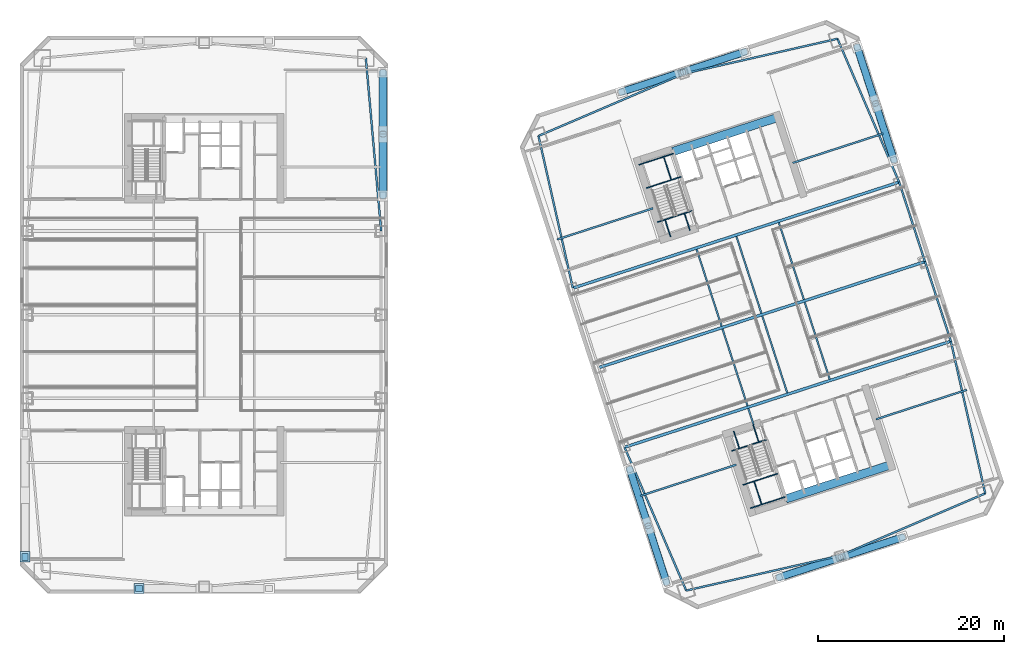
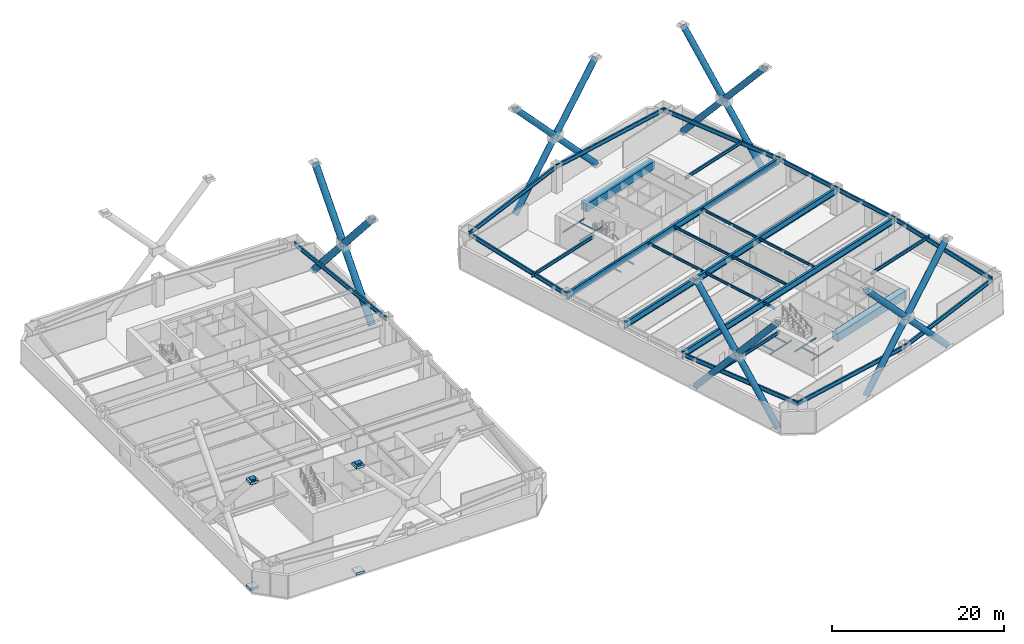
# One storey, part 2 of 18: 39 beams, 20 members, 6 plates.
"""IFC4 building model written with IfcOpenShell, lengths in metres."""

from ifc_helpers import new_model, si_unit, direction, frame, origin, origin_2d, place, context, subcontext, project, spatial, rectangle, hollow_circle, i_section, extrude, material, layer, layer_set, material_profile, profile_set, type_object, element, save


model = new_model("IFC4")

# Units and contexts
model_context = context("Model", 3, precision=1e-05, world=origin(), true_north=direction((0.0, 1.0)))
body_context = subcontext(model_context, "Body", "Model", "MODEL_VIEW")
ifc_project = project(units=[si_unit("LENGTHUNIT", "METRE"), si_unit("AREAUNIT", "SQUARE_METRE"), si_unit("VOLUMEUNIT", "CUBIC_METRE"), si_unit("PLANEANGLEUNIT", "RADIAN"), si_unit("MASSUNIT", "GRAM", prefix="KILO")], contexts=[model_context])

# Site, building, storey
site_placement = place(None, origin())
site = spatial("IfcSite", under=ifc_project, at=site_placement, CompositionType="ELEMENT")
building_placement = place(site_placement, origin())
building = spatial("IfcBuilding", under=site, at=building_placement, Name="Qiaolan Cultural Towers", CompositionType="ELEMENT")
storey_placement = place(building_placement, frame((0.0, 0.0, 42.0)))
storey = spatial("IfcBuildingStorey", under=building, at=storey_placement, Name="L09", CompositionType="ELEMENT", Elevation=42.0)

# Beams
ifc_material_1 = material(Name="Steel Q355B", Category="steel")
ifc_material_profile_1 = material_profile(ifc_material_1, i_section(OverallWidth=0.300048828125, OverallDepth=0.89990234375, WebThickness=0.01611328125, FlangeThickness=0.028076171875, at=origin_2d()), Name="HN900x300x16x28")
ifc_profile_set_1 = profile_set([ifc_material_profile_1], Name="Steel Q355B")
beam_type_1 = type_object("IfcBeamType", Name="BM-HN900x300x16x28", PredefinedType="BEAM", material=ifc_profile_set_1)
beam_1_placement = place(storey_placement, frame((75.234130859375, 19.739013671875, 3.27001953125), z_axis=(0.951055702987, 0.309019497469, 0.0), x_axis=(-0.309019497469, 0.951055702987, 0.0)))
element("IfcBeam", 1, at=beam_1_placement, inside=storey, type_object=beam_type_1, Name="L09 T2 Primary Transverse Girder V1", PredefinedType="BEAM", context=body_context, shape_type="SweptSolid", body=[
    extrude(i_section(OverallWidth=0.300048828125, OverallDepth=0.89990234375, WebThickness=0.01611328125, FlangeThickness=0.028076171875, at=origin_2d()), origin(), (0.0, 0.0, 1.0), 36.900146484375),
])
beam_2_placement = place(storey_placement, frame((72.453125, 28.298583984375, 3.27001953125), z_axis=(0.951055071173, 0.309021441968, 0.0), x_axis=(-0.309021441968, 0.951055071173, 0.0)))
element("IfcBeam", 2, at=beam_2_placement, inside=storey, type_object=beam_type_1, Name="L09 T2 Primary Transverse Girder V2", PredefinedType="BEAM", context=body_context, shape_type="SweptSolid", body=[
    extrude(i_section(OverallWidth=0.300048828125, OverallDepth=0.89990234375, WebThickness=0.01611328125, FlangeThickness=0.028076171875, at=origin_2d()), origin(), (0.0, 0.0, 1.0), 36.89990234375),
])
beam_3_placement = place(storey_placement, frame((69.671875, 36.858154296875, 3.27001953125), z_axis=(0.951055702987, 0.309019497469, 0.0), x_axis=(-0.309019497469, 0.951055702987, 0.0)))
element("IfcBeam", 3, at=beam_3_placement, inside=storey, type_object=beam_type_1, Name="L09 T2 Primary Transverse Girder V3", PredefinedType="BEAM", context=body_context, shape_type="SweptSolid", body=[
    extrude(i_section(OverallWidth=0.300048828125, OverallDepth=0.89990234375, WebThickness=0.01611328125, FlangeThickness=0.028076171875, at=origin_2d()), origin(), (0.0, 0.0, 1.0), 36.900146484375),
])
ifc_material_2 = material(Name="Steel Q355B", Category="steel")
ifc_material_profile_2 = material_profile(ifc_material_2, i_section(OverallWidth=0.175048828125, OverallDepth=0.35009765625, WebThickness=0.007080078125, FlangeThickness=0.010986328125, at=origin_2d()), Name="HN350x175x7x11")
ifc_profile_set_2 = profile_set([ifc_material_profile_2], Name="Steel Q355B")
beam_type_2 = type_object("IfcBeamType", Name="BM-JST-HN350x175x7x11", PredefinedType="JOIST", material=ifc_profile_set_2)
beam_4_placement = place(storey_placement, frame((89.119384765625, 22.147705078125, 3.544921875), z_axis=(-0.308933885266, 0.951083516067, 0.0), x_axis=(-0.951083516067, -0.308933885266, 0.0)))
element("IfcBeam", 4, at=beam_4_placement, inside=storey, type_object=beam_type_2, Name="L09 T2 Secondary Floor Joist U1-1", PredefinedType="JOIST", context=body_context, shape_type="SweptSolid", body=[
    extrude(i_section(OverallWidth=0.175048828125, OverallDepth=0.35009765625, WebThickness=0.007080078125, FlangeThickness=0.010986328125, at=origin_2d()), origin(), (0.0, 0.0, 1.0), 1.85009765625),
])
for number, where, z_axis, x_axis, name in (
    (5, (88.455078125, 24.192626953125, 3.544921875), (-0.309020714809, 0.951055307445, 0.0), (-0.951055307445, -0.309020714809, 0.0), "L09 T2 Secondary Floor Joist U1-2"),
    (6, (85.673828125, 32.752197265625, 3.544921875), (-0.309020714809, 0.951055307445, 0.0), (-0.951055307445, -0.309020714809, 0.0), "L09 T2 Secondary Floor Joist U1-3"),
    (7, (92.73486328125, 25.583251953125, 3.544921875), (-0.309020714809, 0.951055307445, 0.0), (-0.951055307445, -0.309020714809, 0.0), "L09 T2 Secondary Floor Joist U2-2"),
    (8, (89.95361328125, 34.142578125, 3.544921875), (-0.309020714809, 0.951055307445, 0.0), (-0.951055307445, -0.309020714809, 0.0), "L09 T2 Secondary Floor Joist U2-3"),
    (9, (97.2998046875, 27.06640625, 3.544921875), (-0.309020714809, 0.951055307445, 0.0), (-0.951055307445, -0.309020714809, 0.0), "L09 T2 Secondary Floor Joist U3-2"),
    (10, (94.518798828125, 35.6259765625, 3.544921875), (-0.309020714809, 0.951055307445, 0.0), (-0.951055307445, -0.309020714809, 0.0), "L09 T2 Secondary Floor Joist U3-3"),
):
    element("IfcBeam", number, at=place(storey_placement, frame(where, z_axis=z_axis, x_axis=x_axis)), inside=storey, type_object=beam_type_2, Name=name, PredefinedType="JOIST", context=body_context, shape_type="SweptSolid", body=[
        extrude(i_section(OverallWidth=0.175048828125, OverallDepth=0.35009765625, WebThickness=0.007080078125, FlangeThickness=0.010986328125, at=origin_2d()), origin(), (0.0, 0.0, 1.0), 8.699951171875),
    ])
ifc_material_3 = material(Name="Steel Q355B", Category="steel")
ifc_material_profile_3 = material_profile(ifc_material_3, i_section(OverallWidth=0.199951171875, OverallDepth=0.449951171875, WebThickness=0.009033203125, FlangeThickness=0.013916015625, at=origin_2d()), Name="HN450x200x9x14")
ifc_profile_set_3 = profile_set([ifc_material_profile_3], Name="Steel Q355B")
beam_type_3 = type_object("IfcBeamType", Name="BM-LNT-HN450x200x9x14", PredefinedType="LINTEL", material=ifc_profile_set_3)
beam_5_placement = place(storey_placement, frame((87.252685546875, 17.861083984375, 3.4951171875), z_axis=(-0.95105688584, -0.30901585703, 0.0), x_axis=(0.30901585703, -0.95105688584, 0.0)))
element("IfcBeam", 11, at=beam_5_placement, inside=storey, type_object=beam_type_3, Name="L09 T2 Core Flank Tie Lintel WS", PredefinedType="LINTEL", context=body_context, shape_type="SweptSolid", body=[
    extrude(i_section(OverallWidth=0.199951171875, OverallDepth=0.449951171875, WebThickness=0.009033203125, FlangeThickness=0.013916015625, at=origin_2d()), origin(), (0.0, 0.0, 1.0), 10.849853515625),
])
beam_6_placement = place(storey_placement, frame((78.291259765625, 45.44189453125, 3.4951171875), z_axis=(-0.951052421511, -0.309029596542, 0.0), x_axis=(0.309029596542, -0.951052421511, 0.0)))
element("IfcBeam", 12, at=beam_6_placement, inside=storey, type_object=beam_type_3, Name="L09 T2 Core Flank Tie Lintel WN", PredefinedType="LINTEL", context=body_context, shape_type="SweptSolid", body=[
    extrude(i_section(OverallWidth=0.199951171875, OverallDepth=0.449951171875, WebThickness=0.009033203125, FlangeThickness=0.013916015625, at=origin_2d()), origin(), (0.0, 0.0, 1.0), 10.85009765625),
])
beam_7_placement = place(storey_placement, frame((102.279296875, 22.74365234375, 3.4951171875), z_axis=(0.951056820587, 0.309016057859, 0.0), x_axis=(-0.309016057859, 0.951056820587, 0.0)))
element("IfcBeam", 13, at=beam_7_placement, inside=storey, type_object=beam_type_3, Name="L09 T2 Core Flank Tie Lintel ES", PredefinedType="LINTEL", context=body_context, shape_type="SweptSolid", body=[
    extrude(i_section(OverallWidth=0.199951171875, OverallDepth=0.449951171875, WebThickness=0.009033203125, FlangeThickness=0.013916015625, at=origin_2d()), origin(), (0.0, 0.0, 1.0), 10.250244140625),
])
beam_8_placement = place(storey_placement, frame((93.31787109375, 50.32421875, 3.4951171875), z_axis=(0.951054546097, 0.309023057955, 0.0), x_axis=(-0.309023057955, 0.951054546097, 0.0)))
element("IfcBeam", 14, at=beam_8_placement, inside=storey, type_object=beam_type_3, Name="L09 T2 Core Flank Tie Lintel EN", PredefinedType="LINTEL", context=body_context, shape_type="SweptSolid", body=[
    extrude(i_section(OverallWidth=0.199951171875, OverallDepth=0.449951171875, WebThickness=0.009033203125, FlangeThickness=0.013916015625, at=origin_2d()), origin(), (0.0, 0.0, 1.0), 10.25),
])
ifc_material_4 = material(Name="Concrete C50", Category="concrete")
ifc_material_profile_4 = material_profile(ifc_material_4, rectangle(XDim=0.89990234375, YDim=1.10009765625, at=origin_2d()), Name="RC900x1100")
ifc_profile_set_4 = profile_set([ifc_material_profile_4], Name="Concrete C50")
beam_type_4 = type_object("IfcBeamType", Name="BM-RC900x1100", PredefinedType="BEAM", material=ifc_profile_set_4)
for number, where, z_axis, x_axis, name in (
    (15, (92.572265625, 14.174560546875, 3.169921875), (0.951056266386, 0.309017763514, 0.0), (-0.309017763514, 0.951056266386, 0.0), "L09 T2 Core Header Girder S"),
    (16, (80.427978515625, 51.551025390625, 3.169921875), (0.951056266386, 0.309017763514, 0.0), (-0.309017763514, 0.951056266386, 0.0), "L09 T2 Core Header Girder N"),
):
    element("IfcBeam", number, at=place(storey_placement, frame(where, z_axis=z_axis, x_axis=x_axis)), inside=storey, type_object=beam_type_4, Name=name, PredefinedType="BEAM", context=body_context, shape_type="SweptSolid", body=[
        extrude(rectangle(XDim=0.89990234375, YDim=1.10009765625, at=origin_2d()), origin(), (0.0, 0.0, 1.0), 11.880126953125),
    ])
ifc_material_5 = material(Name="Steel Q355B", Category="steel")
ifc_material_profile_5 = material_profile(ifc_material_5, i_section(OverallWidth=0.199951171875, OverallDepth=0.60009765625, WebThickness=0.010986328125, FlangeThickness=0.01708984375, at=origin_2d()), Name="HN600x200x11x17")
ifc_profile_set_5 = profile_set([ifc_material_profile_5], Name="Steel Q355B")
beam_type_5 = type_object("IfcBeamType", Name="BM-SPD-HN600x200x11x17", PredefinedType="SPANDREL", material=ifc_profile_set_5)
beam_9_placement = place(storey_placement, frame((49.050048828125, 43.0, 3.419921875), z_axis=(-0.08837000091, 0.996087718496, 0.0), x_axis=(-0.996087718496, -0.08837000091, 0.0)))
element("IfcBeam", 17, at=beam_9_placement, inside=storey, type_object=beam_type_5, Name="L09 T1 Perimeter Spandrel Beam 6", PredefinedType="SPANDREL", context=body_context, shape_type="SweptSolid", body=[
    extrude(i_section(OverallWidth=0.199951171875, OverallDepth=0.60009765625, WebThickness=0.010986328125, FlangeThickness=0.01708984375, at=origin_2d()), origin(), (0.0, 0.0, 1.0), 18.673095703125),
])
for number, where, z_axis, x_axis, name in (
    (18, (81.862548828125, 4.32275390625, 3.419921875), (0.975161095889, 0.221496810506, 0.0), (-0.221496810506, 0.975161095889, 0.0), "L09 T2 Perimeter Spandrel Beam 1"),
    (19, (98.420654296875, 8.083740234375, 3.419921875), (0.919108584923, 0.394004326272, 0.0), (-0.394004326272, 0.919108584923, 0.0), "L09 T2 Perimeter Spandrel Beam 2"),
):
    element("IfcBeam", number, at=place(storey_placement, frame(where, z_axis=z_axis, x_axis=x_axis)), inside=storey, type_object=beam_type_5, Name=name, PredefinedType="SPANDREL", context=body_context, shape_type="SweptSolid", body=[
        extrude(i_section(OverallWidth=0.199951171875, OverallDepth=0.60009765625, WebThickness=0.010986328125, FlangeThickness=0.01708984375, at=origin_2d()), origin(), (0.0, 0.0, 1.0), 16.97998046875),
    ])
beam_10_placement = place(storey_placement, frame((114.027099609375, 14.77392578125, 3.419921875), z_axis=(-0.220430557386, 0.975402670373, 0.0), x_axis=(-0.975402670373, -0.220430557386, 0.0)))
element("IfcBeam", 20, at=beam_10_placement, inside=storey, type_object=beam_type_5, Name="L09 T2 Perimeter Spandrel Beam 3", PredefinedType="SPANDREL", context=body_context, shape_type="SweptSolid", body=[
    extrude(i_section(OverallWidth=0.199951171875, OverallDepth=0.60009765625, WebThickness=0.010986328125, FlangeThickness=0.01708984375, at=origin_2d()), origin(), (0.0, 0.0, 1.0), 16.78076171875),
])
for number, where, z_axis, x_axis, name in (
    (21, (110.328125, 31.141845703125, 3.419921875), (-0.309024734286, 0.951054001411, 0.0), (-0.951054001411, -0.309024734286, 0.0), "L09 T2 Perimeter Spandrel Beam 4"),
    (22, (107.546875, 39.701416015625, 3.419921875), (-0.309000197986, 0.951061973609, 0.0), (-0.951061973609, -0.309000197986, 0.0), "L09 T2 Perimeter Spandrel Beam 5"),
):
    element("IfcBeam", number, at=place(storey_placement, frame(where, z_axis=z_axis, x_axis=x_axis)), inside=storey, type_object=beam_type_5, Name=name, PredefinedType="SPANDREL", context=body_context, shape_type="SweptSolid", body=[
        extrude(i_section(OverallWidth=0.199951171875, OverallDepth=0.60009765625, WebThickness=0.010986328125, FlangeThickness=0.01708984375, at=origin_2d()), origin(), (0.0, 0.0, 1.0), 9.0),
    ])
beam_11_placement = place(storey_placement, frame((104.765869140625, 48.260986328125, 3.419921875), z_axis=(-0.394998896054, 0.918681594524, 0.0), x_axis=(-0.918681594524, -0.394998896054, 0.0)))
element("IfcBeam", 23, at=beam_11_placement, inside=storey, type_object=beam_type_5, Name="L09 T2 Perimeter Spandrel Beam 6", PredefinedType="SPANDREL", context=body_context, shape_type="SweptSolid", body=[
    extrude(i_section(OverallWidth=0.199951171875, OverallDepth=0.60009765625, WebThickness=0.010986328125, FlangeThickness=0.01708984375, at=origin_2d()), origin(), (0.0, 0.0, 1.0), 16.78076171875),
])
for number, where, z_axis, x_axis, name in (
    (24, (98.137451171875, 63.67724609375, 3.419921875), (-0.975161095889, -0.221496810506, 0.0), (0.221496810506, -0.975161095889, 0.0), "L09 T2 Perimeter Spandrel Beam 7"),
    (25, (81.579345703125, 59.916259765625, 3.419921875), (-0.919108584923, -0.394004326272, 0.0), (0.394004326272, -0.919108584923, 0.0), "L09 T2 Perimeter Spandrel Beam 8"),
):
    element("IfcBeam", number, at=place(storey_placement, frame(where, z_axis=z_axis, x_axis=x_axis)), inside=storey, type_object=beam_type_5, Name=name, PredefinedType="SPANDREL", context=body_context, shape_type="SweptSolid", body=[
        extrude(i_section(OverallWidth=0.199951171875, OverallDepth=0.60009765625, WebThickness=0.010986328125, FlangeThickness=0.01708984375, at=origin_2d()), origin(), (0.0, 0.0, 1.0), 16.97998046875),
    ])
for number, where, z_axis, x_axis, name in (
    (26, (65.972900390625, 53.22607421875, 3.419921875), (0.220430557386, -0.975402670373, 0.0), (0.975402670373, 0.220430557386, 0.0), "L09 T2 Perimeter Spandrel Beam 9"),
    (27, (75.234130859375, 19.739013671875, 3.419921875), (0.394998896054, -0.918681594524, 0.0), (0.918681594524, 0.394998896054, 0.0), "L09 T2 Perimeter Spandrel Beam 12"),
):
    element("IfcBeam", number, at=place(storey_placement, frame(where, z_axis=z_axis, x_axis=x_axis)), inside=storey, type_object=beam_type_5, Name=name, PredefinedType="SPANDREL", context=body_context, shape_type="SweptSolid", body=[
        extrude(i_section(OverallWidth=0.199951171875, OverallDepth=0.60009765625, WebThickness=0.010986328125, FlangeThickness=0.01708984375, at=origin_2d()), origin(), (0.0, 0.0, 1.0), 16.78076171875),
    ])
ifc_material_6 = material(Name="Steel Q355B", Category="steel")
ifc_material_profile_6 = material_profile(ifc_material_6, i_section(OverallWidth=0.10009765625, OverallDepth=0.199951171875, WebThickness=0.005615234375, FlangeThickness=0.008056640625, at=origin_2d()), Name="HN200x100x5.5x8")
ifc_profile_set_6 = profile_set([ifc_material_profile_6], Name="Steel Q355B")
beam_type_6 = type_object("IfcBeamType", Name="BM-STTRIM-200", PredefinedType="BEAM", material=ifc_profile_set_6)
beam_12_placement = place(storey_placement, frame((86.770751953125, 19.3447265625, -0.4599609375), z_axis=(0.951047798727, 0.309043823005, 0.0), x_axis=(-0.309043823005, 0.951047798727, 0.0)))
element("IfcBeam", 28, at=beam_12_placement, inside=storey, type_object=beam_type_6, Name="L09 ST-E1 Floor Landing Header Beam", PredefinedType="BEAM", context=body_context, shape_type="SweptSolid", body=[
    extrude(i_section(OverallWidth=0.10009765625, OverallDepth=0.199951171875, WebThickness=0.005615234375, FlangeThickness=0.008056640625, at=origin_2d()), origin(), (0.0, 0.0, 1.0), 3.919921875),
])
for number, where, z_axis, x_axis, name in (
    (29, (86.9794921875, 21.452392578125, -0.4599609375), (0.309083226701, -0.951034993558, 0.0), (0.951034993558, 0.309083226701, 0.0), "L09 ST-E1 Floor Landing Stringer 1"),
    (30, (89.07177734375, 22.13232421875, -0.4599609375), (0.309083226701, -0.951034993558, 0.0), (0.951034993558, 0.309083226701, 0.0), "L09 ST-E1 Floor Landing Stringer 2"),
):
    element("IfcBeam", number, at=place(storey_placement, frame(where, z_axis=z_axis, x_axis=x_axis)), inside=storey, type_object=beam_type_6, Name=name, PredefinedType="BEAM", context=body_context, shape_type="SweptSolid", body=[
        extrude(i_section(OverallWidth=0.10009765625, OverallDepth=0.199951171875, WebThickness=0.005615234375, FlangeThickness=0.008056640625, at=origin_2d()), origin(), (0.0, 0.0, 1.0), 1.93994140625),
    ])
for number, where, z_axis, x_axis, name in (
    (31, (87.9599609375, 15.6845703125, 1.699951171875), (0.951066103084, 0.308987487715, 0.0), (-0.308987487715, 0.951066103084, 0.0), "L09 ST-E1 Stair Landing Support Beam 1-1"),
    (32, (88.773193359375, 13.181884765625, 1.699951171875), (0.951047798727, 0.309043823005, 0.0), (-0.309043823005, 0.951047798727, 0.0), "L09 ST-E1 Stair Landing Support Beam 1-2"),
):
    element("IfcBeam", number, at=place(storey_placement, frame(where, z_axis=z_axis, x_axis=x_axis)), inside=storey, type_object=beam_type_6, Name=name, PredefinedType="BEAM", context=body_context, shape_type="SweptSolid", body=[
        extrude(i_section(OverallWidth=0.10009765625, OverallDepth=0.199951171875, WebThickness=0.005615234375, FlangeThickness=0.008056640625, at=origin_2d()), origin(), (0.0, 0.0, 1.0), 3.919921875),
    ])
beam_13_placement = place(storey_placement, frame((89.167724609375, 16.076904296875, 1.699951171875), z_axis=(0.309065092166, -0.951040887031, 0.0), x_axis=(0.951040887031, 0.309065092166, 0.0)))
element("IfcBeam", 33, at=beam_13_placement, inside=storey, type_object=beam_type_6, Name="L09 ST-E1 Stair Landing Trimmer 1", PredefinedType="BEAM", context=body_context, shape_type="SweptSolid", body=[
    extrude(i_section(OverallWidth=0.10009765625, OverallDepth=0.199951171875, WebThickness=0.005615234375, FlangeThickness=0.008056640625, at=origin_2d()), origin(), (0.0, 0.0, 1.0), 2.63134765625),
])
beam_14_placement = place(storey_placement, frame((78.773193359375, 43.958251953125, -0.4599609375), z_axis=(0.951072048947, 0.3089691857, 0.0), x_axis=(-0.3089691857, 0.951072048947, 0.0)))
element("IfcBeam", 34, at=beam_14_placement, inside=storey, type_object=beam_type_6, Name="L09 ST-E2 Floor Landing Header Beam", PredefinedType="BEAM", context=body_context, shape_type="SweptSolid", body=[
    extrude(i_section(OverallWidth=0.10009765625, OverallDepth=0.199951171875, WebThickness=0.005615234375, FlangeThickness=0.008056640625, at=origin_2d()), origin(), (0.0, 0.0, 1.0), 3.920166015625),
])
for number, where, z_axis, x_axis, name in (
    (35, (80.18115234375, 42.375732421875, -0.4599609375), (-0.308969394428, 0.951071981138, 0.0), (-0.951071981138, -0.308969394428, 0.0), "L09 ST-E2 Floor Landing Stringer 1"),
    (36, (82.2734375, 43.0556640625, -0.4599609375), (-0.308969394428, 0.951071981138, 0.0), (-0.951071981138, -0.308969394428, 0.0), "L09 ST-E2 Floor Landing Stringer 2"),
):
    element("IfcBeam", number, at=place(storey_placement, frame(where, z_axis=z_axis, x_axis=x_axis)), inside=storey, type_object=beam_type_6, Name=name, PredefinedType="BEAM", context=body_context, shape_type="SweptSolid", body=[
        extrude(i_section(OverallWidth=0.10009765625, OverallDepth=0.199951171875, WebThickness=0.005615234375, FlangeThickness=0.008056640625, at=origin_2d()), origin(), (0.0, 0.0, 1.0), 1.93994140625),
    ])
beam_15_placement = place(storey_placement, frame((77.583984375, 47.618408203125, 1.699951171875), z_axis=(0.951047798727, 0.309043823005, 0.0), x_axis=(-0.309043823005, 0.951047798727, 0.0)))
element("IfcBeam", 37, at=beam_15_placement, inside=storey, type_object=beam_type_6, Name="L09 ST-E2 Stair Landing Support Beam 1-1", PredefinedType="BEAM", context=body_context, shape_type="SweptSolid", body=[
    extrude(i_section(OverallWidth=0.10009765625, OverallDepth=0.199951171875, WebThickness=0.005615234375, FlangeThickness=0.008056640625, at=origin_2d()), origin(), (0.0, 0.0, 1.0), 3.919921875),
])
beam_16_placement = place(storey_placement, frame((76.770751953125, 50.12109375, 1.699951171875), z_axis=(0.951072048947, 0.3089691857, 0.0), x_axis=(-0.3089691857, 0.951072048947, 0.0)))
element("IfcBeam", 38, at=beam_16_placement, inside=storey, type_object=beam_type_6, Name="L09 ST-E2 Stair Landing Support Beam 1-2", PredefinedType="BEAM", context=body_context, shape_type="SweptSolid", body=[
    extrude(i_section(OverallWidth=0.10009765625, OverallDepth=0.199951171875, WebThickness=0.005615234375, FlangeThickness=0.008056640625, at=origin_2d()), origin(), (0.0, 0.0, 1.0), 3.920166015625),
])
beam_17_placement = place(storey_placement, frame((80.25634765625, 48.48681640625, 1.699951171875), z_axis=(-0.308981166967, 0.95106815658, 0.0), x_axis=(-0.95106815658, -0.308981166967, 0.0)))
element("IfcBeam", 39, at=beam_17_placement, inside=storey, type_object=beam_type_6, Name="L09 ST-E2 Stair Landing Trimmer 1", PredefinedType="BEAM", context=body_context, shape_type="SweptSolid", body=[
    extrude(i_section(OverallWidth=0.10009765625, OverallDepth=0.199951171875, WebThickness=0.005615234375, FlangeThickness=0.008056640625, at=origin_2d()), origin(), (0.0, 0.0, 1.0), 2.631103515625),
])

# Members
ifc_material_7 = material(Name="Steel Q390GJB", Category="steel")
ifc_material_profile_7 = material_profile(ifc_material_7, hollow_circle(Radius=0.39990234375, WallThickness=0.0400390625, at=origin_2d()), Name="CHS800x40")
ifc_profile_set_7 = profile_set([ifc_material_profile_7], Name="Steel Q390GJB")
member_type_1 = type_object("IfcMemberType", Name="MBR-BRC-CHS800x40", PredefinedType="BRACE", material=ifc_profile_set_7)
for number, where, z_axis, x_axis, name in (
    (40, (79.75634765625, 5.173828125, 0.14990234375), (-0.200647202171, 0.617535437278, 0.760520008919), (-0.951057523153, -0.309013895568, 0.0), "T2 WEST Perimeter Frame Diagonal E-Z1-M2-D1A"),
    (41, (77.77099609375, 11.2841796875, 7.675048828125), (-0.20064790993, 0.61756228943, 0.760498017692), (-0.951061151536, -0.309002728207, 0.0), "T2 WEST Perimeter Frame Diagonal E-Z1-M2-D1B"),
    (42, (75.78564453125, 17.394775390625, 0.14990234375), (0.200644144932, -0.617550701365, 0.760508420958), (0.951061151536, 0.309002728207, 0.0), "T2 WEST Perimeter Frame Diagonal E-Z1-M2-D2A"),
):
    element("IfcMember", number, at=place(storey_placement, frame(where, z_axis=z_axis, x_axis=x_axis)), inside=storey, type_object=member_type_1, Name=name, PredefinedType="BRACE", context=body_context, shape_type="SweptSolid", body=[
        extrude(hollow_circle(Radius=0.39990234375, WallThickness=0.0400390625, at=origin_2d()), origin(), (0.0, 0.0, 1.0), 9.894775390625),
    ])
member_1_placement = place(storey_placement, frame((77.77099609375, 11.2841796875, 7.675048828125), z_axis=(0.200650967342, -0.617547025411, 0.76050960593), x_axis=(0.951057523153, 0.309013895568, 0.0)))
element("IfcMember", 43, at=member_1_placement, inside=storey, type_object=member_type_1, Name="T2 WEST Perimeter Frame Diagonal E-Z1-M2-D2B", PredefinedType="BRACE", context=body_context, shape_type="SweptSolid", body=[
    extrude(hollow_circle(Radius=0.39990234375, WallThickness=0.0400390625, at=origin_2d()), origin(), (0.0, 0.0, 1.0), 9.89453125),
])
member_2_placement = place(storey_placement, frame((104.21435546875, 50.605224609375, 0.14990234375), z_axis=(-0.200644144932, 0.617550701365, 0.760508420958), x_axis=(-0.951061151536, -0.309002728207, 0.0)))
element("IfcMember", 44, at=member_2_placement, inside=storey, type_object=member_type_1, Name="T2 EAST Perimeter Frame Diagonal E-Z1-M2-D1A", PredefinedType="BRACE", context=body_context, shape_type="SweptSolid", body=[
    extrude(hollow_circle(Radius=0.39990234375, WallThickness=0.0400390625, at=origin_2d()), origin(), (0.0, 0.0, 1.0), 9.894775390625),
])
member_3_placement = place(storey_placement, frame((102.22900390625, 56.7158203125, 7.675048828125), z_axis=(-0.200650967342, 0.617547025411, 0.76050960593), x_axis=(-0.951057523153, -0.309013895568, 0.0)))
element("IfcMember", 45, at=member_3_placement, inside=storey, type_object=member_type_1, Name="T2 EAST Perimeter Frame Diagonal E-Z1-M2-D1B", PredefinedType="BRACE", context=body_context, shape_type="SweptSolid", body=[
    extrude(hollow_circle(Radius=0.39990234375, WallThickness=0.0400390625, at=origin_2d()), origin(), (0.0, 0.0, 1.0), 9.89453125),
])
for number, where, z_axis, x_axis, name in (
    (46, (100.24365234375, 62.826171875, 0.14990234375), (0.200647202171, -0.617535437278, 0.760520008919), (0.951057523153, 0.309013895568, 0.0), "T2 EAST Perimeter Frame Diagonal E-Z1-M2-D2A"),
    (47, (102.22900390625, 56.7158203125, 7.675048828125), (0.20064790993, -0.61756228943, 0.760498017692), (0.951061151536, 0.309002728207, 0.0), "T2 EAST Perimeter Frame Diagonal E-Z1-M2-D2B"),
):
    element("IfcMember", number, at=place(storey_placement, frame(where, z_axis=z_axis, x_axis=x_axis)), inside=storey, type_object=member_type_1, Name=name, PredefinedType="BRACE", context=body_context, shape_type="SweptSolid", body=[
        extrude(hollow_circle(Radius=0.39990234375, WallThickness=0.0400390625, at=origin_2d()), origin(), (0.0, 0.0, 1.0), 9.894775390625),
    ])
for number, where, z_axis, x_axis, name in (
    (48, (91.8251953125, 5.73046875, 0.14990234375), (0.64775247382, 0.210469668404, 0.732201646639), (-0.309019824916, 0.951055596592, 0.0), "T2 SOUTH Perimeter Frame Diagonal E-Z1-M2-D1A"),
    (49, (98.482421875, 7.8935546875, 7.675048828125), (0.647777528, 0.210470090509, 0.732179360006), (-0.309009574742, 0.951058927048, 0.0), "T2 SOUTH Perimeter Frame Diagonal E-Z1-M2-D1B"),
):
    element("IfcMember", number, at=place(storey_placement, frame(where, z_axis=z_axis, x_axis=x_axis)), inside=storey, type_object=member_type_1, Name=name, PredefinedType="BRACE", context=body_context, shape_type="SweptSolid", body=[
        extrude(hollow_circle(Radius=0.39990234375, WallThickness=0.0400390625, at=origin_2d()), origin(), (0.0, 0.0, 1.0), 10.27734375),
    ])
member_4_placement = place(storey_placement, frame((105.139892578125, 10.056640625, 0.14990234375), z_axis=(-0.647766261326, -0.210466429841, 0.732190380023), x_axis=(0.309009574742, -0.951058927048, 0.0)))
element("IfcMember", 50, at=member_4_placement, inside=storey, type_object=member_type_1, Name="T2 SOUTH Perimeter Frame Diagonal E-Z1-M2-D2A", PredefinedType="BRACE", context=body_context, shape_type="SweptSolid", body=[
    extrude(hollow_circle(Radius=0.39990234375, WallThickness=0.0400390625, at=origin_2d()), origin(), (0.0, 0.0, 1.0), 10.277587890625),
])
member_5_placement = place(storey_placement, frame((98.482421875, 7.8935546875, 7.675048828125), z_axis=(-0.647763740602, -0.21047332924, 0.732190626845), x_axis=(0.309019824916, -0.951055596592, 0.0)))
element("IfcMember", 51, at=member_5_placement, inside=storey, type_object=member_type_1, Name="T2 SOUTH Perimeter Frame Diagonal E-Z1-M2-D2B", PredefinedType="BRACE", context=body_context, shape_type="SweptSolid", body=[
    extrude(hollow_circle(Radius=0.39990234375, WallThickness=0.0400390625, at=origin_2d()), origin(), (0.0, 0.0, 1.0), 10.27734375),
])
member_6_placement = place(storey_placement, frame((74.860107421875, 57.943359375, 0.14990234375), z_axis=(0.647766261326, 0.210466429841, 0.732190380023), x_axis=(-0.309009574742, 0.951058927048, 0.0)))
element("IfcMember", 52, at=member_6_placement, inside=storey, type_object=member_type_1, Name="T2 NORTH Perimeter Frame Diagonal E-Z1-M2-D1A", PredefinedType="BRACE", context=body_context, shape_type="SweptSolid", body=[
    extrude(hollow_circle(Radius=0.39990234375, WallThickness=0.0400390625, at=origin_2d()), origin(), (0.0, 0.0, 1.0), 10.277587890625),
])
for number, where, z_axis, x_axis, name in (
    (53, (81.517578125, 60.1064453125, 7.675048828125), (0.647763740602, 0.21047332924, 0.732190626845), (-0.309019824916, 0.951055596592, 0.0), "T2 NORTH Perimeter Frame Diagonal E-Z1-M2-D1B"),
    (54, (88.1748046875, 62.26953125, 0.14990234375), (-0.64775247382, -0.210469668404, 0.732201646639), (0.309019824916, -0.951055596592, 0.0), "T2 NORTH Perimeter Frame Diagonal E-Z1-M2-D2A"),
    (55, (81.517578125, 60.1064453125, 7.675048828125), (-0.647777528, -0.210470090509, 0.732179360006), (0.309009574742, -0.951058927048, 0.0), "T2 NORTH Perimeter Frame Diagonal E-Z1-M2-D2B"),
):
    element("IfcMember", number, at=place(storey_placement, frame(where, z_axis=z_axis, x_axis=x_axis)), inside=storey, type_object=member_type_1, Name=name, PredefinedType="BRACE", context=body_context, shape_type="SweptSolid", body=[
        extrude(hollow_circle(Radius=0.39990234375, WallThickness=0.0400390625, at=origin_2d()), origin(), (0.0, 0.0, 1.0), 10.27734375),
    ])
ifc_material_8 = material(Name="Steel Q390GJB", Category="steel")
ifc_material_profile_8 = material_profile(ifc_material_8, hollow_circle(Radius=0.449951171875, WallThickness=0.044921875, at=origin_2d()), Name="CHS900x45")
ifc_profile_set_8 = profile_set([ifc_material_profile_8], Name="Steel Q390GJB")
member_type_2 = type_object("IfcMemberType", Name="MBR-BRC-CHS900x45", PredefinedType="BRACE", material=ifc_profile_set_8)
member_7_placement = place(storey_placement, frame((49.25, 46.800048828125, 0.14990234375), z_axis=(0.0, 0.660789268259, 0.750571477578), x_axis=(-1.0, 0.0, 0.0)))
element("IfcMember", 56, at=member_7_placement, inside=storey, type_object=member_type_2, Name="T1 EAST Perimeter Frame Diagonal W-Z1-M2-D1A", PredefinedType="BRACE", context=body_context, shape_type="SweptSolid", body=[
    extrude(hollow_circle(Radius=0.449951171875, WallThickness=0.044921875, at=origin_2d()), origin(), (0.0, 0.0, 1.0), 10.02587890625),
])
member_8_placement = place(storey_placement, frame((49.25, 53.425048828125, 7.675048828125), z_axis=(0.0, 0.660801345759, 0.750560844597), x_axis=(-1.0, 0.0, 0.0)))
element("IfcMember", 57, at=member_8_placement, inside=storey, type_object=member_type_2, Name="T1 EAST Perimeter Frame Diagonal W-Z1-M2-D1B", PredefinedType="BRACE", context=body_context, shape_type="SweptSolid", body=[
    extrude(hollow_circle(Radius=0.449951171875, WallThickness=0.044921875, at=origin_2d()), origin(), (0.0, 0.0, 1.0), 10.025634765625),
])
member_9_placement = place(storey_placement, frame((49.25, 60.050048828125, 0.14990234375), z_axis=(0.0, -0.660789268259, 0.750571477578), x_axis=(1.0, 0.0, 0.0)))
element("IfcMember", 58, at=member_9_placement, inside=storey, type_object=member_type_2, Name="T1 EAST Perimeter Frame Diagonal W-Z1-M2-D2A", PredefinedType="BRACE", context=body_context, shape_type="SweptSolid", body=[
    extrude(hollow_circle(Radius=0.449951171875, WallThickness=0.044921875, at=origin_2d()), origin(), (0.0, 0.0, 1.0), 10.02587890625),
])
member_10_placement = place(storey_placement, frame((49.25, 53.425048828125, 7.675048828125), z_axis=(0.0, -0.660801345759, 0.750560844597), x_axis=(1.0, 0.0, 0.0)))
element("IfcMember", 59, at=member_10_placement, inside=storey, type_object=member_type_2, Name="T1 EAST Perimeter Frame Diagonal W-Z1-M2-D2B", PredefinedType="BRACE", context=body_context, shape_type="SweptSolid", body=[
    extrude(hollow_circle(Radius=0.449951171875, WallThickness=0.044921875, at=origin_2d()), origin(), (0.0, 0.0, 1.0), 10.025634765625),
])

# Plates
ifc_material_9 = material(Name="Steel Q355B", Category="steel")
ifc_layer_1 = layer(ifc_material_9, 0.035888671875)
ifc_layer_set_1 = layer_set([ifc_layer_1], Name="Steel Q355B")
plate_type_1 = type_object("IfcPlateType", Name="PL-CONN-36", PredefinedType="USERDEFINED", material=ifc_layer_set_1)
for number, where, z_axis, x_axis, name in (
    (60, (10.75, 7.949951171875, 14.830078125), (0.0, 0.0, 1.0), (0.0, 1.0, 0.0), "L09 Brace End Connection Gusset Plate GP-02-0213"),
    (61, (23.0, 4.550048828125, 14.830078125), (0.0, 0.0, 1.0), (1.0, 0.0, 0.0), "L09 Brace End Connection Gusset Plate GP-02-0217"),
):
    element("IfcPlate", number, at=place(storey_placement, frame(where, z_axis=z_axis, x_axis=x_axis)), inside=storey, type_object=plate_type_1, Name=name, ObjectType="GUSSET_PLATE", PredefinedType="USERDEFINED", context=body_context, shape_type="SweptSolid", body=[
        extrude(rectangle(XDim=0.739990234375, YDim=0.6201171875, at=origin_2d()), origin(), (0.0, 0.0, 1.0), 0.739990234375),
    ])
ifc_material_10 = material(Name="Steel Q355B", Category="steel")
ifc_layer_2 = layer(ifc_material_10, 0.030029296875)
ifc_layer_set_2 = layer_set([ifc_layer_2], Name="Steel Q355B")
plate_type_2 = type_object("IfcPlateType", Name="PL-ENDCAP-30", PredefinedType="USERDEFINED", material=ifc_layer_set_2)
for number, where, z_axis, x_axis, name in (
    (62, (10.75, 7.949951171875, -0.025146484375), (0.0, 0.0, 1.0), (0.0, 1.0, 0.0), "Hollow Brace End Seal Cap Plate CP-01"),
    (63, (10.75, 7.949951171875, 15.02490234375), (0.0, 0.0, 1.0), (0.0, 1.0, 0.0), "Hollow Brace End Seal Cap Plate CP-01"),
    (64, (23.0, 4.550048828125, -0.025146484375), (0.0, 0.0, 1.0), (1.0, 0.0, 0.0), "Hollow Brace End Seal Cap Plate CP-01"),
    (65, (23.0, 4.550048828125, 15.02490234375), (0.0, 0.0, 1.0), (1.0, 0.0, 0.0), "Hollow Brace End Seal Cap Plate CP-01"),
):
    element("IfcPlate", number, at=place(storey_placement, frame(where, z_axis=z_axis, x_axis=x_axis)), inside=storey, type_object=plate_type_2, Name=name, ObjectType="BASE_PLATE", PredefinedType="USERDEFINED", context=body_context, shape_type="SweptSolid", body=[
        extrude(rectangle(XDim=1.10009765625, YDim=1.10009765625, at=origin_2d()), origin(), (0.0, 0.0, 1.0), 0.35009765625),
    ])

save(model, "model.ifc")
